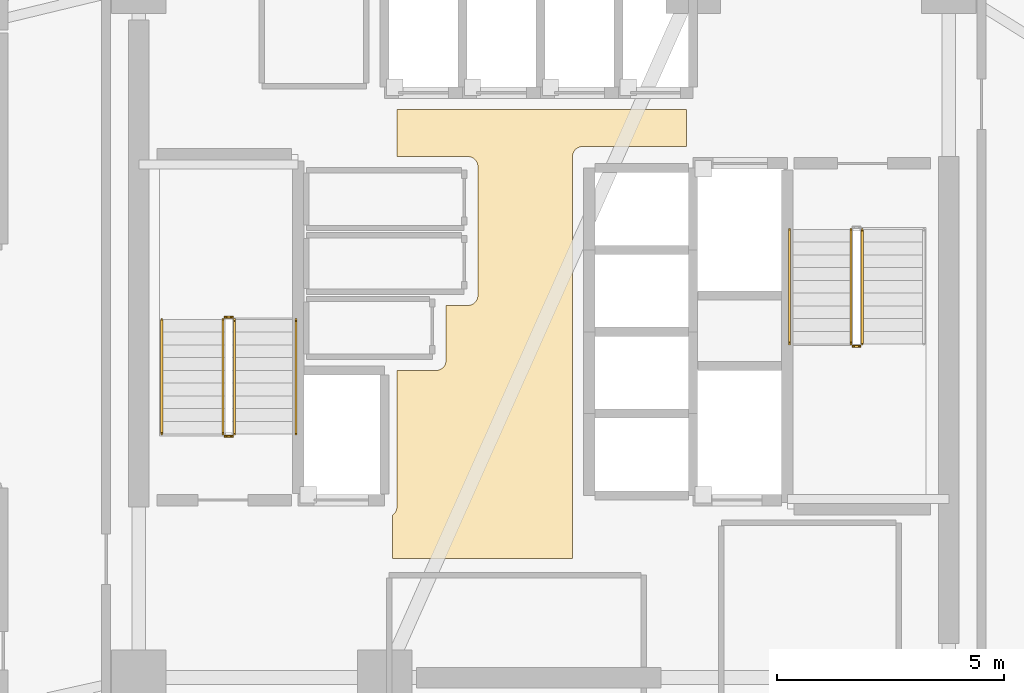
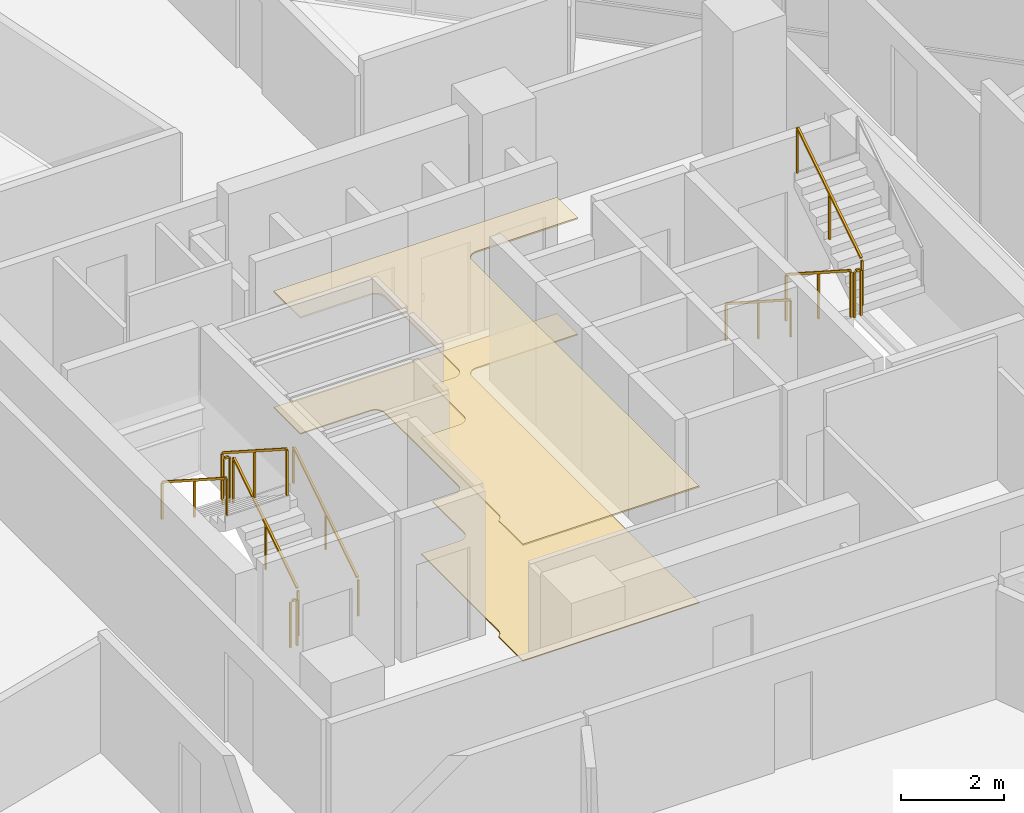
# One storey, part 15 of 17: 10 railings, 2 coverings.
"""IFC4 building model written with IfcOpenShell, lengths in metres."""

from ifc_helpers import new_model, si_unit, direction, frame, origin, origin_2d, place, context, subcontext, project, spatial, polyline, rectangle, outline, extrude, material, layer, layer_set, type_object, element, save


model = new_model("IFC4")

# Units and contexts
model_context = context("Model", 3, precision=1e-05, world=origin(), true_north=direction((0.0, 1.0)))
body_context = subcontext(model_context, "Body", "Model", "MODEL_VIEW")
ifc_project = project(units=[si_unit("LENGTHUNIT", "METRE"), si_unit("AREAUNIT", "SQUARE_METRE"), si_unit("VOLUMEUNIT", "CUBIC_METRE"), si_unit("PLANEANGLEUNIT", "RADIAN"), si_unit("MASSUNIT", "GRAM", prefix="KILO")], contexts=[model_context])

# Site, building, storey
site_placement = place(None, origin())
site = spatial("IfcSite", under=ifc_project, at=site_placement, CompositionType="ELEMENT")
building_placement = place(site_placement, origin())
building = spatial("IfcBuilding", under=site, at=building_placement, Name="Tharavind Bronze Gate", CompositionType="ELEMENT")
storey_placement = place(building_placement, frame((0.0, 0.0, 93.300048828125)))
storey = spatial("IfcBuildingStorey", under=building, at=storey_placement, Name="L23", CompositionType="ELEMENT", Elevation=93.300048828125)

# Coverings
ifc_material_1 = material(Name="Perforated Bronze Acoustic Panel", Category="bronze")
ifc_layer_1 = layer(ifc_material_1, 0.044921875)
ifc_layer_set_1 = layer_set([ifc_layer_1], Name="Perforated Bronze Acoustic Panel")
covering_type_1 = type_object("IfcCoveringType", Name="ACOUSTIC BRONZE BAFFLE CEILING", PredefinedType="CEILING", material=ifc_layer_set_1)
covering_1_placement = place(storey_placement, frame((0.0, 0.0, 2.75)))
element("IfcCovering", 1, at=covering_1_placement, inside=storey, type_object=covering_type_1, Name="L23-C-LL suspended ceiling", PredefinedType="CEILING", context=body_context, shape_type="SweptSolid", body=[
    extrude(outline(polyline([(-3.330078125, -4.97998046875), (0.6298828125, -4.97998046875), (0.6298828125, 3.85009765625), (0.631103515625, 3.87158203125), (0.63427734375, 3.892822265625), (0.639404296875, 3.913818359375), (0.646728515625, 3.93408203125), (0.656005859375, 3.95361328125), (0.6669921875, 3.97216796875), (0.679931640625, 3.989501953125), (0.6943359375, 4.005615234375), (0.71044921875, 4.02001953125), (0.727783203125, 4.032958984375), (0.746337890625, 4.0439453125), (0.765869140625, 4.05322265625), (0.7861328125, 4.060546875), (0.80712890625, 4.06591796875), (0.828369140625, 4.06884765625), (0.85009765625, 4.070068359375), (3.1298828125, 4.070068359375), (3.1298828125, 4.8798828125), (-3.22998046875, 4.8798828125), (-3.22998046875, 3.85009765625), (-1.669921875, 3.85009765625), (-1.6484375, 3.848876953125), (-1.627197265625, 3.845703125), (-1.606201171875, 3.840576171875), (-1.585693359375, 3.833251953125), (-1.56640625, 3.823974609375), (-1.5478515625, 3.81298828125), (-1.530517578125, 3.800048828125), (-1.514404296875, 3.78564453125), (-1.5, 3.76953125), (-1.487060546875, 3.752197265625), (-1.47607421875, 3.733642578125), (-1.466796875, 3.714111328125), (-1.45947265625, 3.69384765625), (-1.4541015625, 3.6728515625), (-1.451171875, 3.651611328125), (-1.449951171875, 3.6298828125), (-1.449951171875, 0.800048828125), (-1.451171875, 0.7783203125), (-1.4541015625, 0.757080078125), (-1.45947265625, 0.736083984375), (-1.466796875, 0.7158203125), (-1.47607421875, 0.6962890625), (-1.487060546875, 0.677734375), (-1.5, 0.660400390625), (-1.514404296875, 0.644287109375), (-1.530517578125, 0.6298828125), (-1.5478515625, 0.6171875), (-1.56640625, 0.60595703125), (-1.585693359375, 0.5966796875), (-1.606201171875, 0.589599609375), (-1.627197265625, 0.584228515625), (-1.6484375, 0.5810546875), (-1.669921875, 0.580078125), (-2.14990234375, 0.580078125), (-2.14990234375, -0.6298828125), (-2.151123046875, -0.651611328125), (-2.154296875, -0.6728515625), (-2.159423828125, -0.69384765625), (-2.166748046875, -0.714111328125), (-2.176025390625, -0.733642578125), (-2.18701171875, -0.752197265625), (-2.199951171875, -0.76953125), (-2.21435546875, -0.78564453125), (-2.23046875, -0.800048828125), (-2.247802734375, -0.81298828125), (-2.266357421875, -0.823974609375), (-2.285888671875, -0.833251953125), (-2.30615234375, -0.840576171875), (-2.3271484375, -0.845703125), (-2.348388671875, -0.848876953125), (-2.3701171875, -0.85009765625), (-3.22998046875, -0.85009765625), (-3.22998046875, -3.85009765625), (-3.231201171875, -3.87158203125), (-3.234130859375, -3.892822265625), (-3.239501953125, -3.913818359375), (-3.24658203125, -3.93408203125), (-3.256103515625, -3.95361328125), (-3.26708984375, -3.97216796875), (-3.27978515625, -3.989501953125), (-3.29443359375, -4.005615234375), (-3.310302734375, -4.02001953125), (-3.327880859375, -4.032958984375), (-3.330078125, -4.0341796875), (-3.330078125, -4.97998046875)])), origin(), (0.0, 0.0, 1.0), 0.034912109375),
])
ifc_material_2 = material(Name="Honed Travertine Limestone", Category="masonry")
ifc_layer_2 = layer(ifc_material_2, 0.030029296875)
ifc_layer_set_2 = layer_set([ifc_layer_2], Name="Honed Travertine Limestone")
covering_type_2 = type_object("IfcCoveringType", Name="HONED LIMESTONE FLOORING", PredefinedType="FLOORING", material=ifc_layer_set_2)
covering_2_placement = place(storey_placement, origin())
element("IfcCovering", 2, at=covering_2_placement, inside=storey, type_object=covering_type_2, Name="L23-C-LL floor finish", PredefinedType="FLOORING", context=body_context, shape_type="SweptSolid", body=[
    extrude(outline(polyline([(-3.330078125, -4.97998046875), (0.6298828125, -4.97998046875), (0.6298828125, 3.85009765625), (0.631103515625, 3.87158203125), (0.63427734375, 3.892822265625), (0.639404296875, 3.913818359375), (0.646728515625, 3.93408203125), (0.656005859375, 3.95361328125), (0.6669921875, 3.97216796875), (0.679931640625, 3.989501953125), (0.6943359375, 4.005615234375), (0.71044921875, 4.02001953125), (0.727783203125, 4.032958984375), (0.746337890625, 4.0439453125), (0.765869140625, 4.05322265625), (0.7861328125, 4.060546875), (0.80712890625, 4.06591796875), (0.828369140625, 4.06884765625), (0.85009765625, 4.070068359375), (3.1298828125, 4.070068359375), (3.1298828125, 4.8798828125), (-3.22998046875, 4.8798828125), (-3.22998046875, 3.85009765625), (-1.669921875, 3.85009765625), (-1.6484375, 3.848876953125), (-1.627197265625, 3.845703125), (-1.606201171875, 3.840576171875), (-1.585693359375, 3.833251953125), (-1.56640625, 3.823974609375), (-1.5478515625, 3.81298828125), (-1.530517578125, 3.800048828125), (-1.514404296875, 3.78564453125), (-1.5, 3.76953125), (-1.487060546875, 3.752197265625), (-1.47607421875, 3.733642578125), (-1.466796875, 3.714111328125), (-1.45947265625, 3.69384765625), (-1.4541015625, 3.6728515625), (-1.451171875, 3.651611328125), (-1.449951171875, 3.6298828125), (-1.449951171875, 0.800048828125), (-1.451171875, 0.7783203125), (-1.4541015625, 0.757080078125), (-1.45947265625, 0.736083984375), (-1.466796875, 0.7158203125), (-1.47607421875, 0.6962890625), (-1.487060546875, 0.677734375), (-1.5, 0.660400390625), (-1.514404296875, 0.644287109375), (-1.530517578125, 0.6298828125), (-1.5478515625, 0.6171875), (-1.56640625, 0.60595703125), (-1.585693359375, 0.5966796875), (-1.606201171875, 0.589599609375), (-1.627197265625, 0.584228515625), (-1.6484375, 0.5810546875), (-1.669921875, 0.580078125), (-2.14990234375, 0.580078125), (-2.14990234375, -0.6298828125), (-2.151123046875, -0.651611328125), (-2.154296875, -0.6728515625), (-2.159423828125, -0.69384765625), (-2.166748046875, -0.714111328125), (-2.176025390625, -0.733642578125), (-2.18701171875, -0.752197265625), (-2.199951171875, -0.76953125), (-2.21435546875, -0.78564453125), (-2.23046875, -0.800048828125), (-2.247802734375, -0.81298828125), (-2.266357421875, -0.823974609375), (-2.285888671875, -0.833251953125), (-2.30615234375, -0.840576171875), (-2.3271484375, -0.845703125), (-2.348388671875, -0.848876953125), (-2.3701171875, -0.85009765625), (-3.22998046875, -0.85009765625), (-3.22998046875, -3.85009765625), (-3.231201171875, -3.87158203125), (-3.234130859375, -3.892822265625), (-3.239501953125, -3.913818359375), (-3.24658203125, -3.93408203125), (-3.256103515625, -3.95361328125), (-3.26708984375, -3.97216796875), (-3.27978515625, -3.989501953125), (-3.29443359375, -4.005615234375), (-3.310302734375, -4.02001953125), (-3.327880859375, -4.032958984375), (-3.330078125, -4.0341796875), (-3.330078125, -4.97998046875)])), origin(), (0.0, 0.0, 1.0), 0.02490234375),
])

# Railings
ifc_material_3 = material(Name="Brushed Bronze Alloy", Category="metal")
railing_type_1 = type_object("IfcRailingType", Name="STAIR BRONZE HANDRAIL 900", PredefinedType="HANDRAIL", material=ifc_material_3)
railing_1_placement = place(storey_placement, frame((-5.449951171875, -2.25, 0.179931640625)))
element("IfcRailing", 3, at=railing_1_placement, inside=storey, type_object=railing_type_1, Name="L23 ST1 stair handrail 1", PredefinedType="HANDRAIL", context=body_context, shape_type="SweptSolid", body=[
    extrude(rectangle(XDim=0.048095703125, YDim=0.048095703125, at=origin_2d()), frame((0.0, 0.02685546875, 0.89306640625), z_axis=(0.0, 0.841162588446, 0.540782303519), x_axis=(-1.0, 0.0, 0.0)), (0.0, 0.0, 1.0), 2.931884765625),
    extrude(rectangle(XDim=0.0400390625, YDim=0.0400390625, at=origin_2d()), origin(), (0.0, 0.0, 1.0), 0.847900390625),
    extrude(rectangle(XDim=0.0400390625, YDim=0.0400390625, at=origin_2d()), frame((0.0, 1.260009765625, 0.81005859375)), (0.0, 0.0, 1.0), 0.847900390625),
    extrude(rectangle(XDim=0.0400390625, YDim=0.0400390625, at=origin_2d()), frame((0.0, 2.52001953125, 1.6201171875)), (0.0, 0.0, 1.0), 0.847900390625),
])
railing_2_placement = place(storey_placement, frame((-8.39990234375, 0.27001953125, 1.97998046875)))
element("IfcRailing", 4, at=railing_2_placement, inside=storey, type_object=railing_type_1, Name="L23 ST1 stair handrail 2", PredefinedType="HANDRAIL", context=body_context, shape_type="SweptSolid", body=[
    extrude(rectangle(XDim=0.048095703125, YDim=0.048095703125, at=origin_2d()), frame((0.0, -0.02685546875, 0.89306640625), z_axis=(0.0, -0.841199657755, 0.540724639528), x_axis=(1.0, 0.0, 0.0)), (0.0, 0.0, 1.0), 2.931640625),
    extrude(rectangle(XDim=0.0400390625, YDim=0.0400390625, at=origin_2d()), origin(), (0.0, 0.0, 1.0), 0.847900390625),
    extrude(rectangle(XDim=0.0400390625, YDim=0.0400390625, at=origin_2d()), frame((0.0, -1.260009765625, 0.81005859375)), (0.0, 0.0, 1.0), 0.847900390625),
    extrude(rectangle(XDim=0.0400390625, YDim=0.0400390625, at=origin_2d()), frame((0.0, -2.52001953125, 1.619873046875)), (0.0, 0.0, 1.0), 0.847900390625),
])
railing_3_placement = place(storey_placement, frame((5.39990234375, 2.25, 0.179931640625)))
element("IfcRailing", 5, at=railing_3_placement, inside=storey, type_object=railing_type_1, Name="L23 ST2 stair handrail 1", PredefinedType="HANDRAIL", context=body_context, shape_type="SweptSolid", body=[
    extrude(rectangle(XDim=0.048095703125, YDim=0.048095703125, at=origin_2d()), frame((0.0, -0.02685546875, 0.89306640625), z_axis=(0.0, -0.841162588446, 0.540782303519), x_axis=(1.0, 0.0, 0.0)), (0.0, 0.0, 1.0), 2.931884765625),
    extrude(rectangle(XDim=0.0400390625, YDim=0.0400390625, at=origin_2d()), origin(), (0.0, 0.0, 1.0), 0.847900390625),
    extrude(rectangle(XDim=0.0400390625, YDim=0.0400390625, at=origin_2d()), frame((0.0, -1.260009765625, 0.81005859375)), (0.0, 0.0, 1.0), 0.847900390625),
    extrude(rectangle(XDim=0.0400390625, YDim=0.0400390625, at=origin_2d()), frame((0.0, -2.52001953125, 1.6201171875)), (0.0, 0.0, 1.0), 0.847900390625),
])
railing_type_2 = type_object("IfcRailingType", Name="STAIR WELL GUARD RAILING 1120", PredefinedType="GUARDRAIL", material=ifc_material_3)
railing_4_placement = place(storey_placement, frame((-6.800048828125, -2.25, 0.179931640625)))
element("IfcRailing", 6, at=railing_4_placement, inside=storey, type_object=railing_type_2, Name="L23 ST1 stair guard 1", PredefinedType="GUARDRAIL", context=body_context, shape_type="SweptSolid", body=[
    extrude(rectangle(XDim=0.048095703125, YDim=0.048095703125, at=origin_2d()), frame((0.0, 0.02685546875, 1.11328125), z_axis=(0.0, 0.841162588446, 0.540782303519), x_axis=(-1.0, 0.0, 0.0)), (0.0, 0.0, 1.0), 2.931884765625),
    extrude(rectangle(XDim=0.0400390625, YDim=0.0400390625, at=origin_2d()), origin(), (0.0, 0.0, 1.0), 1.068115234375),
    extrude(rectangle(XDim=0.0400390625, YDim=0.0400390625, at=origin_2d()), frame((0.0, 1.260009765625, 0.81005859375)), (0.0, 0.0, 1.0), 1.068115234375),
    extrude(rectangle(XDim=0.0400390625, YDim=0.0400390625, at=origin_2d()), frame((0.0, 2.52001953125, 1.6201171875)), (0.0, 0.0, 1.0), 1.068115234375),
])
railing_5_placement = place(storey_placement, frame((-6.85009765625, 0.320068359375, 1.800048828125)))
element("IfcRailing", 7, at=railing_5_placement, inside=storey, type_object=railing_type_2, Name="L23 ST1 stair guard 2", PredefinedType="GUARDRAIL", context=body_context, shape_type="SweptSolid", body=[
    extrude(rectangle(XDim=0.048095703125, YDim=0.048095703125, at=origin_2d()), frame((-0.031982421875, 0.0, 1.09619140625), z_axis=(-1.0, 0.0, 0.0), x_axis=(0.0, -1.0, 0.0)), (0.0, 0.0, 1.0), 0.0859375),
    extrude(rectangle(XDim=0.0400390625, YDim=0.0400390625, at=origin_2d()), origin(), (0.0, 0.0, 1.0), 1.068115234375),
    extrude(rectangle(XDim=0.0400390625, YDim=0.0400390625, at=origin_2d()), frame((-0.14990234375, 0.0, 0.0)), (0.0, 0.0, 1.0), 1.068115234375),
])
railing_6_placement = place(storey_placement, frame((-7.050048828125, 0.27001953125, 1.97998046875)))
element("IfcRailing", 8, at=railing_6_placement, inside=storey, type_object=railing_type_2, Name="L23 ST1 stair guard 3", PredefinedType="GUARDRAIL", context=body_context, shape_type="SweptSolid", body=[
    extrude(rectangle(XDim=0.048095703125, YDim=0.048095703125, at=origin_2d()), frame((0.0, -0.02685546875, 1.11328125), z_axis=(0.0, -0.841199657755, 0.540724639528), x_axis=(1.0, 0.0, 0.0)), (0.0, 0.0, 1.0), 2.931640625),
    extrude(rectangle(XDim=0.0400390625, YDim=0.0400390625, at=origin_2d()), origin(), (0.0, 0.0, 1.0), 1.068115234375),
    extrude(rectangle(XDim=0.0400390625, YDim=0.0400390625, at=origin_2d()), frame((0.0, -1.260009765625, 0.81005859375)), (0.0, 0.0, 1.0), 1.068115234375),
    extrude(rectangle(XDim=0.0400390625, YDim=0.0400390625, at=origin_2d()), frame((0.0, -2.52001953125, 1.619873046875)), (0.0, 0.0, 1.0), 1.068115234375),
])
railing_7_placement = place(storey_placement, frame((-6.85009765625, -2.300048828125, 0.0)))
element("IfcRailing", 9, at=railing_7_placement, inside=storey, type_object=railing_type_2, Name="L23 ST1 stair guard 4", PredefinedType="GUARDRAIL", context=body_context, shape_type="SweptSolid", body=[
    extrude(rectangle(XDim=0.048095703125, YDim=0.048095703125, at=origin_2d()), frame((-0.031982421875, 0.0, 1.09619140625), z_axis=(-1.0, 0.0, 0.0), x_axis=(0.0, -1.0, 0.0)), (0.0, 0.0, 1.0), 0.0859375),
    extrude(rectangle(XDim=0.0400390625, YDim=0.0400390625, at=origin_2d()), origin(), (0.0, 0.0, 1.0), 1.068115234375),
    extrude(rectangle(XDim=0.0400390625, YDim=0.0400390625, at=origin_2d()), frame((-0.14990234375, 0.0, 0.0)), (0.0, 0.0, 1.0), 1.068115234375),
])
railing_8_placement = place(storey_placement, frame((6.75, 2.25, 0.179931640625)))
element("IfcRailing", 10, at=railing_8_placement, inside=storey, type_object=railing_type_2, Name="L23 ST2 stair guard 1", PredefinedType="GUARDRAIL", context=body_context, shape_type="SweptSolid", body=[
    extrude(rectangle(XDim=0.048095703125, YDim=0.048095703125, at=origin_2d()), frame((0.0, -0.02685546875, 1.11328125), z_axis=(0.0, -0.841162588446, 0.540782303519), x_axis=(1.0, 0.0, 0.0)), (0.0, 0.0, 1.0), 2.931884765625),
    extrude(rectangle(XDim=0.0400390625, YDim=0.0400390625, at=origin_2d()), origin(), (0.0, 0.0, 1.0), 1.068115234375),
    extrude(rectangle(XDim=0.0400390625, YDim=0.0400390625, at=origin_2d()), frame((0.0, -1.260009765625, 0.81005859375)), (0.0, 0.0, 1.0), 1.068115234375),
    extrude(rectangle(XDim=0.0400390625, YDim=0.0400390625, at=origin_2d()), frame((0.0, -2.52001953125, 1.6201171875)), (0.0, 0.0, 1.0), 1.068115234375),
])
railing_9_placement = place(storey_placement, frame((6.800048828125, -0.320068359375, 1.800048828125)))
element("IfcRailing", 11, at=railing_9_placement, inside=storey, type_object=railing_type_2, Name="L23 ST2 stair guard 2", PredefinedType="GUARDRAIL", context=body_context, shape_type="SweptSolid", body=[
    extrude(rectangle(XDim=0.048095703125, YDim=0.048095703125, at=origin_2d()), frame((0.031982421875, 0.0, 1.09619140625), z_axis=(1.0, 0.0, 0.0), x_axis=(0.0, 1.0, 0.0)), (0.0, 0.0, 1.0), 0.0859375),
    extrude(rectangle(XDim=0.0400390625, YDim=0.0400390625, at=origin_2d()), origin(), (0.0, 0.0, 1.0), 1.068115234375),
    extrude(rectangle(XDim=0.0400390625, YDim=0.0400390625, at=origin_2d()), frame((0.14990234375, 0.0, 0.0)), (0.0, 0.0, 1.0), 1.068115234375),
])
railing_10_placement = place(storey_placement, frame((7.0, -0.27001953125, 1.97998046875)))
element("IfcRailing", 12, at=railing_10_placement, inside=storey, type_object=railing_type_2, Name="L23 ST2 stair guard 3", PredefinedType="GUARDRAIL", context=body_context, shape_type="SweptSolid", body=[
    extrude(rectangle(XDim=0.048095703125, YDim=0.048095703125, at=origin_2d()), frame((0.0, 0.02685546875, 1.11328125), z_axis=(0.0, 0.841199657755, 0.540724639528), x_axis=(-1.0, 0.0, 0.0)), (0.0, 0.0, 1.0), 2.931640625),
    extrude(rectangle(XDim=0.0400390625, YDim=0.0400390625, at=origin_2d()), origin(), (0.0, 0.0, 1.0), 1.068115234375),
    extrude(rectangle(XDim=0.0400390625, YDim=0.0400390625, at=origin_2d()), frame((0.0, 1.260009765625, 0.81005859375)), (0.0, 0.0, 1.0), 1.068115234375),
    extrude(rectangle(XDim=0.0400390625, YDim=0.0400390625, at=origin_2d()), frame((0.0, 2.52001953125, 1.619873046875)), (0.0, 0.0, 1.0), 1.068115234375),
])

save(model, "model.ifc")
